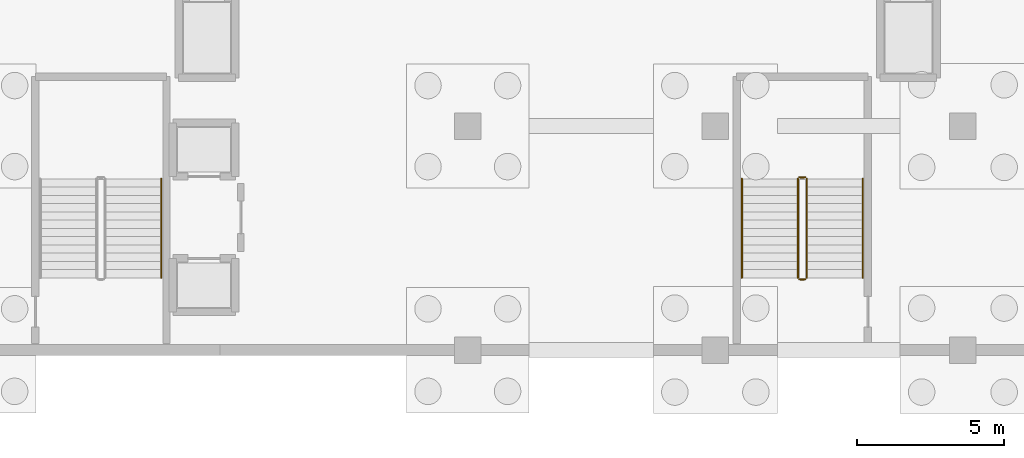
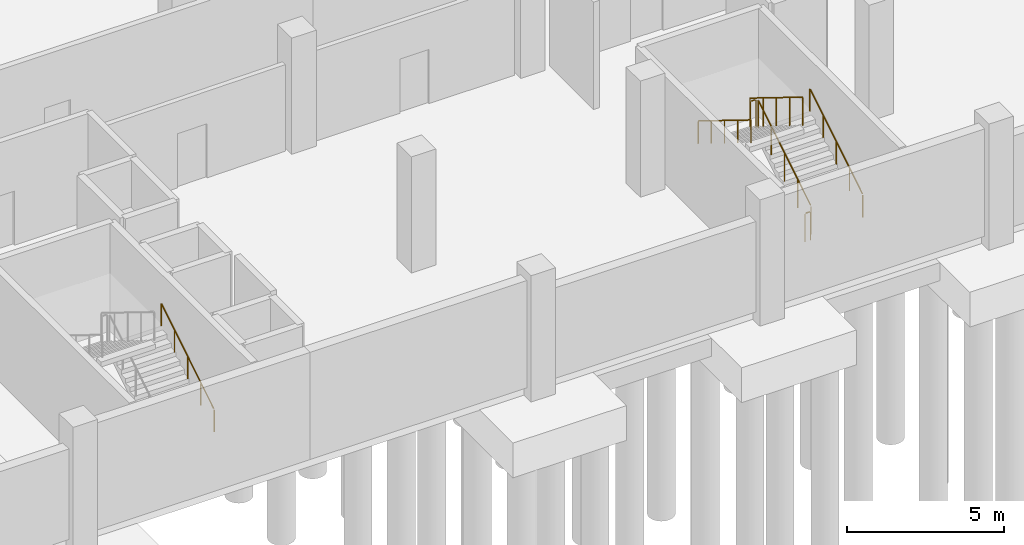
# One storey, part 19 of 22: 7 railings.
"""IFC4 building model written with IfcOpenShell, lengths in metres."""

from ifc_helpers import new_model, si_unit, direction, frame, origin, origin_2d, place, context, subcontext, project, spatial, circle, extrude, material, type_object, element, save


model = new_model("IFC4")

# Units and contexts
model_context = context("Model", 3, precision=1e-05, world=origin(), true_north=direction((0.0, 1.0)))
body_context = subcontext(model_context, "Body", "Model", "MODEL_VIEW")
ifc_project = project(units=[si_unit("LENGTHUNIT", "METRE"), si_unit("AREAUNIT", "SQUARE_METRE"), si_unit("VOLUMEUNIT", "CUBIC_METRE"), si_unit("PLANEANGLEUNIT", "RADIAN"), si_unit("MASSUNIT", "GRAM", prefix="KILO")], contexts=[model_context])

# Site, building, storey
site_placement = place(None, origin())
site = spatial("IfcSite", under=ifc_project, at=site_placement, CompositionType="ELEMENT")
building_placement = place(site_placement, origin())
building = spatial("IfcBuilding", under=site, at=building_placement, Name="Zuvorla Pavilion Media Centre", CompositionType="ELEMENT")
storey_placement = place(building_placement, frame((0.0, 0.0, -4.5)))
storey = spatial("IfcBuildingStorey", under=building, at=storey_placement, Name="B01", CompositionType="ELEMENT", Elevation=-4.5)

# Railings
ifc_material_1 = material(Name="Powder-coated steel balustrade guard", Category="steel")
railing_type_1 = type_object("IfcRailingType", Name="RL-INT-GRD", PredefinedType="BALUSTRADE", material=ifc_material_1)
railing_1_placement = place(storey_placement, frame((95.10009765625, 8.449951171875, 0.173095703125)))
element("IfcRailing", 1, at=railing_1_placement, inside=storey, type_object=railing_type_1, Name="B01 ST-02 stair guard 1", PredefinedType="BALUSTRADE", context=body_context, shape_type="SweptSolid", body=[
    extrude(circle(Radius=0.02392578125, at=origin_2d()), frame((0.0, 0.024658203125, 1.111328125), z_axis=(0.0, 0.850623216509, 0.525775754039), x_axis=(-1.0, 0.0, 0.0)), (0.0, 0.0, 1.0), 3.892578125),
    extrude(circle(Radius=0.02099609375, at=origin_2d()), origin(), (0.0, 0.0, 1.0), 1.070068359375),
    extrude(circle(Radius=0.02099609375, at=origin_2d()), frame((0.0, 0.840087890625, 0.519287109375)), (0.0, 0.0, 1.0), 1.070068359375),
    extrude(circle(Radius=0.02099609375, at=origin_2d()), frame((0.0, 1.68017578125, 1.03857421875)), (0.0, 0.0, 1.0), 1.070068359375),
    extrude(circle(Radius=0.02099609375, at=origin_2d()), frame((0.0, 2.52001953125, 1.5576171875)), (0.0, 0.0, 1.0), 1.070068359375),
    extrude(circle(Radius=0.02099609375, at=origin_2d()), frame((0.0, 3.360107421875, 2.076904296875)), (0.0, 0.0, 1.0), 1.070068359375),
])
railing_2_placement = place(storey_placement, frame((95.050048828125, 11.860107421875, 2.25)))
element("IfcRailing", 2, at=railing_2_placement, inside=storey, type_object=railing_type_1, Name="B01 ST-02 stair guard 2", PredefinedType="BALUSTRADE", context=body_context, shape_type="SweptSolid", body=[
    extrude(circle(Radius=0.02392578125, at=origin_2d()), frame((-0.02880859375, 0.0, 1.09619140625), z_axis=(-1.0, 0.0, 0.0), x_axis=(0.0, -1.0, 0.0)), (0.0, 0.0, 1.0), 0.142333984375),
    extrude(circle(Radius=0.02099609375, at=origin_2d()), origin(), (0.0, 0.0, 1.0), 1.070068359375),
    extrude(circle(Radius=0.02099609375, at=origin_2d()), frame((-0.199951171875, 0.0, 0.0)), (0.0, 0.0, 1.0), 1.070068359375),
])
railing_3_placement = place(storey_placement, frame((94.800048828125, 11.81005859375, 2.423095703125)))
element("IfcRailing", 3, at=railing_3_placement, inside=storey, type_object=railing_type_1, Name="B01 ST-02 stair guard 3", PredefinedType="BALUSTRADE", context=body_context, shape_type="SweptSolid", body=[
    extrude(circle(Radius=0.02392578125, at=origin_2d()), frame((0.0, -0.024658203125, 1.111328125), z_axis=(0.0, -0.850623216509, 0.525775754039), x_axis=(1.0, 0.0, 0.0)), (0.0, 0.0, 1.0), 3.892578125),
    extrude(circle(Radius=0.02099609375, at=origin_2d()), origin(), (0.0, 0.0, 1.0), 1.070068359375),
    extrude(circle(Radius=0.02099609375, at=origin_2d()), frame((0.0, -0.840087890625, 0.519287109375)), (0.0, 0.0, 1.0), 1.070068359375),
    extrude(circle(Radius=0.02099609375, at=origin_2d()), frame((0.0, -1.68017578125, 1.03857421875)), (0.0, 0.0, 1.0), 1.070068359375),
    extrude(circle(Radius=0.02099609375, at=origin_2d()), frame((0.0, -2.52001953125, 1.5576171875)), (0.0, 0.0, 1.0), 1.070068359375),
    extrude(circle(Radius=0.02099609375, at=origin_2d()), frame((0.0, -3.360107421875, 2.076904296875)), (0.0, 0.0, 1.0), 1.070068359375),
])
railing_4_placement = place(storey_placement, frame((95.050048828125, 8.39990234375, 0.0)))
element("IfcRailing", 4, at=railing_4_placement, inside=storey, type_object=railing_type_1, Name="B01 ST-02 stair guard 4", PredefinedType="BALUSTRADE", context=body_context, shape_type="SweptSolid", body=[
    extrude(circle(Radius=0.02392578125, at=origin_2d()), frame((-0.02880859375, 0.0, 1.09619140625), z_axis=(-1.0, 0.0, 0.0), x_axis=(0.0, -1.0, 0.0)), (0.0, 0.0, 1.0), 0.142333984375),
    extrude(circle(Radius=0.02099609375, at=origin_2d()), origin(), (0.0, 0.0, 1.0), 1.070068359375),
    extrude(circle(Radius=0.02099609375, at=origin_2d()), frame((-0.199951171875, 0.0, 0.0)), (0.0, 0.0, 1.0), 1.070068359375),
])
ifc_material_2 = material(Name="Brushed stainless steel tubular handrail", Category="steel")
railing_type_2 = type_object("IfcRailingType", Name="RL-INT-HND", PredefinedType="HANDRAIL", material=ifc_material_2)
for number, where, name in (
    (5, (73.199951171875, 8.449951171875, 0.173095703125), "B01 ST-01 handrail 1"),
    (6, (97.0, 8.449951171875, 0.173095703125), "B01 ST-02 handrail 1"),
):
    element("IfcRailing", number, at=place(storey_placement, frame(where)), inside=storey, type_object=railing_type_2, Name=name, PredefinedType="HANDRAIL", context=body_context, shape_type="SweptSolid", body=[
        extrude(circle(Radius=0.02392578125, at=origin_2d()), frame((0.0, 0.024658203125, 0.89111328125), z_axis=(0.0, 0.850623216509, 0.525775754039), x_axis=(-1.0, 0.0, 0.0)), (0.0, 0.0, 1.0), 3.892578125),
        extrude(circle(Radius=0.02099609375, at=origin_2d()), origin(), (0.0, 0.0, 1.0), 0.849853515625),
        extrude(circle(Radius=0.02099609375, at=origin_2d()), frame((0.0, 0.840087890625, 0.519287109375)), (0.0, 0.0, 1.0), 0.849853515625),
        extrude(circle(Radius=0.02099609375, at=origin_2d()), frame((0.0, 1.68017578125, 1.03857421875)), (0.0, 0.0, 1.0), 0.849853515625),
        extrude(circle(Radius=0.02099609375, at=origin_2d()), frame((0.0, 2.52001953125, 1.5576171875)), (0.0, 0.0, 1.0), 0.849853515625),
        extrude(circle(Radius=0.02099609375, at=origin_2d()), frame((0.0, 3.360107421875, 2.076904296875)), (0.0, 0.0, 1.0), 0.849853515625),
    ])
railing_5_placement = place(storey_placement, frame((92.89990234375, 11.81005859375, 2.423095703125)))
element("IfcRailing", 7, at=railing_5_placement, inside=storey, type_object=railing_type_2, Name="B01 ST-02 handrail 2", PredefinedType="HANDRAIL", context=body_context, shape_type="SweptSolid", body=[
    extrude(circle(Radius=0.02392578125, at=origin_2d()), frame((0.0, -0.024658203125, 0.89111328125), z_axis=(0.0, -0.850623216509, 0.525775754039), x_axis=(1.0, 0.0, 0.0)), (0.0, 0.0, 1.0), 3.892578125),
    extrude(circle(Radius=0.02099609375, at=origin_2d()), origin(), (0.0, 0.0, 1.0), 0.849853515625),
    extrude(circle(Radius=0.02099609375, at=origin_2d()), frame((0.0, -0.840087890625, 0.519287109375)), (0.0, 0.0, 1.0), 0.849853515625),
    extrude(circle(Radius=0.02099609375, at=origin_2d()), frame((0.0, -1.68017578125, 1.03857421875)), (0.0, 0.0, 1.0), 0.849853515625),
    extrude(circle(Radius=0.02099609375, at=origin_2d()), frame((0.0, -2.52001953125, 1.5576171875)), (0.0, 0.0, 1.0), 0.849853515625),
    extrude(circle(Radius=0.02099609375, at=origin_2d()), frame((0.0, -3.360107421875, 2.076904296875)), (0.0, 0.0, 1.0), 0.849853515625),
])

save(model, "model.ifc")
